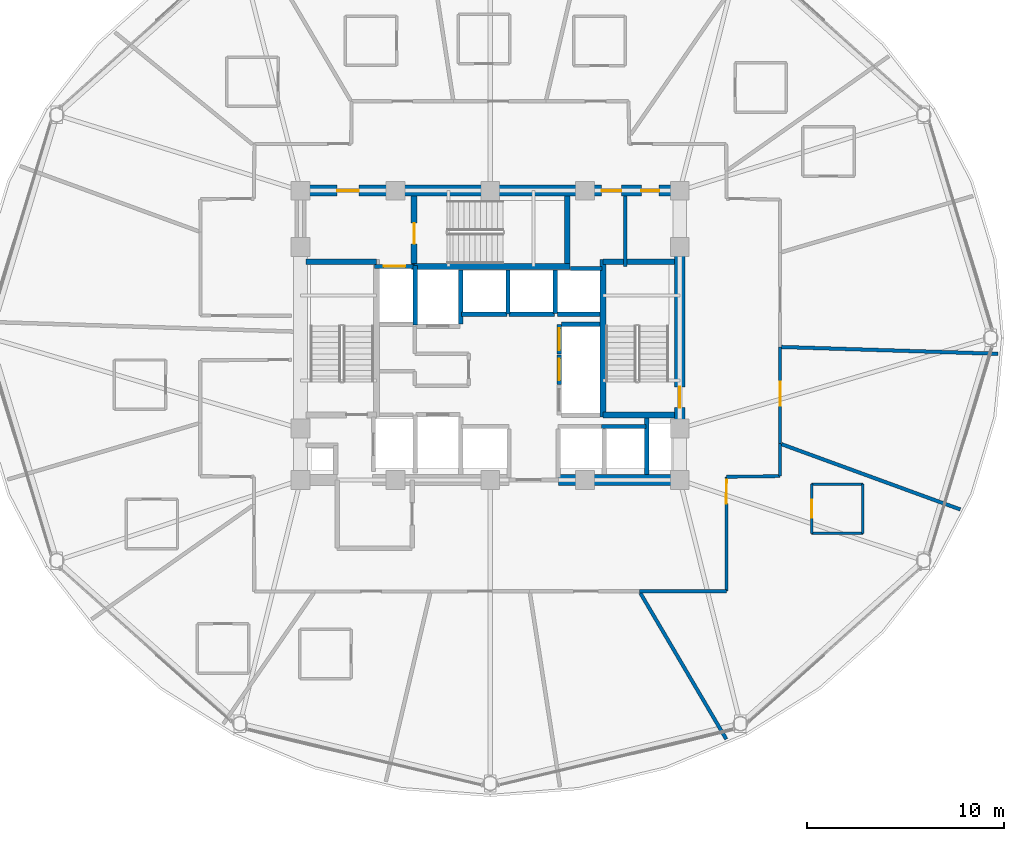
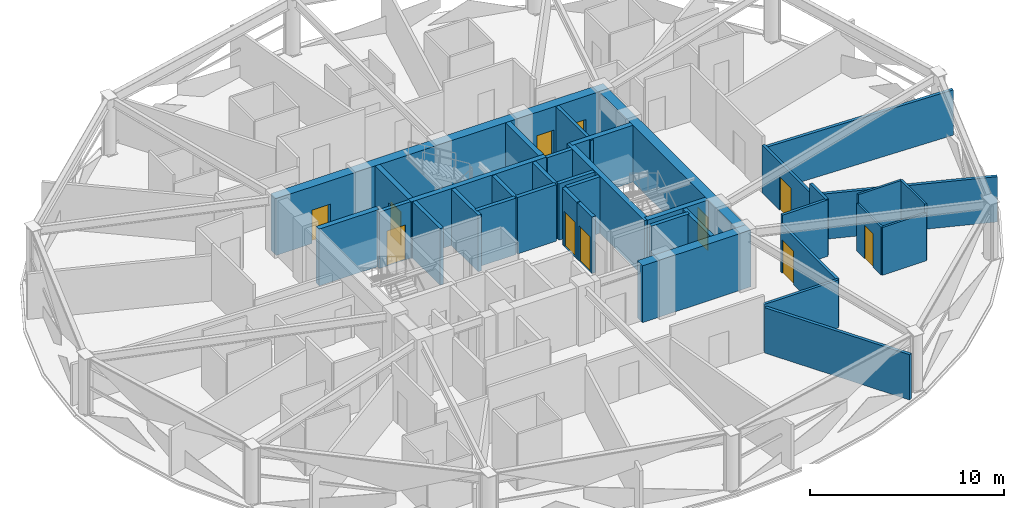
# One storey, part 25 of 31: 37 walls, 11 doors, 11 openings.
"""IFC4 building model written with IfcOpenShell, lengths in metres."""

from ifc_helpers import new_model, si_unit, direction, frame, frame_2d, origin, place, context, subcontext, project, spatial, rectangle, extrude, material, layer, layer_set, type_object, element, fill, save


model = new_model("IFC4")

# Units and contexts
model_context = context("Model", 3, precision=1e-05, world=origin(), true_north=direction((0.0, 1.0)))
body_context = subcontext(model_context, "Body", "Model", "MODEL_VIEW")
ifc_project = project(units=[si_unit("LENGTHUNIT", "METRE"), si_unit("AREAUNIT", "SQUARE_METRE"), si_unit("VOLUMEUNIT", "CUBIC_METRE"), si_unit("PLANEANGLEUNIT", "RADIAN"), si_unit("MASSUNIT", "GRAM", prefix="KILO")], contexts=[model_context])

# Site, building, storey
site_placement = place(None, origin())
site = spatial("IfcSite", under=ifc_project, at=site_placement, CompositionType="ELEMENT")
building_placement = place(site_placement, origin())
building = spatial("IfcBuilding", under=site, at=building_placement, Name="Vantalir Tower", CompositionType="ELEMENT")
storey_placement = place(building_placement, frame((0.0, 0.0, 115.949951171875)))
storey = spatial("IfcBuildingStorey", under=building, at=storey_placement, Name="L28", CompositionType="ELEMENT", Elevation=115.949951171875)

# Walls
ifc_material_1 = material(Name="Moisture-resistant en-suite partition", Category="gypsum")
ifc_layer_1 = layer(ifc_material_1, 0.125)
ifc_layer_set_1 = layer_set([ifc_layer_1], Name="Moisture-resistant en-suite partition")
wall_type_1 = type_object("IfcWallType", Name="WL-BATH-125", PredefinedType="PARTITIONING", material=ifc_layer_set_1)
wall_1_placement = place(storey_placement, frame((47.76904296875, 15.091064453125, 0.0), z_axis=(0.0, 0.0, 1.0), x_axis=(1.0, 0.0, 0.0)))
element("IfcWall", 1, at=wall_1_placement, inside=storey, type_object=wall_type_1, Name="L28 En-suite 15 South Wall", PredefinedType="PARTITIONING", context=body_context, shape_type="SweptSolid", body=[
    extrude(rectangle(XDim=2.599853515625, YDim=0.125, at=frame_2d((1.2998046875, 0.0))), origin(), (0.0, 0.0, 1.0), 3.006103515625),
])
wall_2_placement = place(storey_placement, frame((47.76904296875, 17.591064453125, 0.0), z_axis=(0.0, 0.0, 1.0), x_axis=(1.0, 0.0, 0.0)))
element("IfcWall", 2, at=wall_2_placement, inside=storey, type_object=wall_type_1, Name="L28 En-suite 15 North Wall", PredefinedType="PARTITIONING", context=body_context, shape_type="SweptSolid", body=[
    extrude(rectangle(XDim=2.599853515625, YDim=0.125, at=frame_2d((1.2998046875, 0.0))), origin(), (0.0, 0.0, 1.0), 3.550048828125),
])

# Wall, opening, door
wall_3_placement = place(storey_placement, frame((47.76904296875, 15.091064453125, 0.0), z_axis=(0.0, 0.0, 1.0), x_axis=(0.0, 1.0, 0.0)))
wall_3 = element("IfcWall", 3, at=wall_3_placement, inside=storey, type_object=wall_type_1, Name="L28 En-suite 15 West Wall", PredefinedType="PARTITIONING", context=body_context, shape_type="SweptSolid", body=[
    extrude(rectangle(XDim=2.5, YDim=0.125, at=frame_2d((1.25, 0.0))), origin(), (0.0, 0.0, 1.0), 3.006103515625),
])
opening_1_placement = place(wall_3_placement, frame((0.800048828125, 0.0, 0.0)))
opening_1 = element("IfcOpeningElement", 4, at=opening_1_placement, cuts=wall_3, Name="Opening D-WC", PredefinedType="OPENING", context=body_context, shape_type="SweptSolid", body=[
    extrude(rectangle(XDim=0.89990234375, YDim=2.10009765625, at=frame_2d((0.449951171875, 1.050048828125))), frame((0.0, 0.072509765625, 0.0), z_axis=(0.0, -1.0, 0.0), x_axis=(1.0, 0.0, 0.0)), (0.0, 0.0, 1.0), 0.14501953125),
])
ifc_material_2 = material(Name="Moisture-resistant hardwood door", Category="wood")
door_type_1 = type_object("IfcDoorType", Name="DR-ENSUITE-900", OperationType="NOTDEFINED", PredefinedType="DOOR", material=ifc_material_2)
door_1_placement = place(opening_1_placement, frame((0.89990234375, 0.0, 0.0), z_axis=(0.0, 0.0, 1.0), x_axis=(-1.0, 0.0, 0.0)))
door_1 = element("IfcDoor", 5, at=door_1_placement, inside=storey, type_object=door_type_1, Name="L28 En-suite 15 Door", OperationType="SINGLE_SWING_RIGHT", OverallHeight=2.10009765625, OverallWidth=0.89990234375, PredefinedType="DOOR", context=body_context, shape_type="SweptSolid", body=[
    extrude(rectangle(XDim=0.89990234375, YDim=2.10009765625, at=frame_2d((0.449951171875, 1.050048828125))), frame((0.0, 0.02490234375, 0.0), z_axis=(0.0, -1.0, 0.0), x_axis=(1.0, 0.0, 0.0)), (0.0, 0.0, 1.0), 0.050048828125),
])
fill(opening_1, door_1)

# Walls
wall_4_placement = place(storey_placement, frame((50.368896484375, 15.091064453125, 0.0), z_axis=(0.0, 0.0, 1.0), x_axis=(0.0, 1.0, 0.0)))
element("IfcWall", 6, at=wall_4_placement, inside=storey, type_object=wall_type_1, Name="L28 En-suite 15 East Wall", PredefinedType="PARTITIONING", context=body_context, shape_type="SweptSolid", body=[
    extrude(rectangle(XDim=2.5, YDim=0.125, at=frame_2d((1.25, 0.0))), origin(), (0.0, 0.0, 1.0), 3.550048828125),
])
ifc_material_3 = material(Name="Concrete C60/75", Category="concrete")
ifc_layer_2 = layer(ifc_material_3, 0.550048828125)
ifc_layer_set_2 = layer_set([ifc_layer_2], Name="Concrete C60/75")
wall_type_2 = type_object("IfcWallType", Name="WL-CORE-550", PredefinedType="SHEAR", material=ifc_layer_set_2)
wall_5_placement = place(storey_placement, frame((34.949951171875, 17.800048828125, 0.0), z_axis=(0.0, 0.0, 1.0), x_axis=(1.0, 0.0, 0.0)))
element("IfcWall", 7, at=wall_5_placement, inside=storey, type_object=wall_type_2, Name="L28 Core Shear Wall South-East", PredefinedType="SHEAR", context=body_context, shape_type="SweptSolid", body=[
    extrude(rectangle(XDim=6.425048828125, YDim=0.550048828125, at=frame_2d((3.21240234375, 0.0))), origin(), (0.0, 0.0, 1.0), 3.570068359375),
])

# Wall, openings, doors
wall_6_placement = place(storey_placement, frame((21.625, 32.449951171875, 0.0), z_axis=(0.0, 0.0, 1.0), x_axis=(1.0, 0.0, 0.0)))
wall_6 = element("IfcWall", 8, at=wall_6_placement, inside=storey, type_object=wall_type_2, Name="L28 Core Shear Wall North", PredefinedType="SHEAR", context=body_context, shape_type="SweptSolid", body=[
    extrude(rectangle(XDim=19.75, YDim=0.550048828125, at=frame_2d((9.875, 0.0))), origin(), (0.0, 0.0, 1.0), 3.570068359375),
])
opening_2_placement = place(wall_6_placement, frame((2.125, 0.0, 0.0)))
opening_2 = element("IfcOpeningElement", 9, at=opening_2_placement, cuts=wall_6, Name="Opening D-FFL", PredefinedType="OPENING", context=body_context, shape_type="SweptSolid", body=[
    extrude(rectangle(XDim=1.10009765625, YDim=2.10009765625, at=frame_2d((0.550048828125, 1.050048828125))), frame((0.0, 0.284912109375, 0.0), z_axis=(0.0, -1.0, 0.0), x_axis=(1.0, 0.0, 0.0)), (0.0, 0.0, 1.0), 0.570068359375),
])
opening_3_placement = place(wall_6_placement, frame((15.514892578125, 0.0, 0.0)))
opening_3 = element("IfcOpeningElement", 10, at=opening_3_placement, cuts=wall_6, Name="Opening D-GUEST", PredefinedType="OPENING", context=body_context, shape_type="SweptSolid", body=[
    extrude(rectangle(XDim=1.0, YDim=2.10009765625, at=frame_2d((0.5, 1.050048828125))), frame((0.0, 0.284912109375, 0.0), z_axis=(0.0, -1.0, 0.0), x_axis=(1.0, 0.0, 0.0)), (0.0, 0.0, 1.0), 0.570068359375),
])
opening_4_placement = place(wall_6_placement, frame((17.52490234375, 0.0, 0.0)))
opening_4 = element("IfcOpeningElement", 11, at=opening_4_placement, cuts=wall_6, Name="Opening D-CR", PredefinedType="OPENING", context=body_context, shape_type="SweptSolid", body=[
    extrude(rectangle(XDim=0.89990234375, YDim=2.10009765625, at=frame_2d((0.449951171875, 1.050048828125))), frame((0.0, 0.284912109375, 0.0), z_axis=(0.0, -1.0, 0.0), x_axis=(1.0, 0.0, 0.0)), (0.0, 0.0, 1.0), 0.570068359375),
])
ifc_material_4 = material(Name="Fire-rated steel core service door", Category="steel")
door_type_2 = type_object("IfcDoorType", Name="DR-CORE-SERV-900", OperationType="NOTDEFINED", PredefinedType="DOOR", material=ifc_material_4)
door_2_placement = place(opening_4_placement, frame((0.89990234375, 0.0, 0.0), z_axis=(0.0, 0.0, 1.0), x_axis=(-1.0, 0.0, 0.0)))
door_2 = element("IfcDoor", 12, at=door_2_placement, inside=storey, type_object=door_type_2, Name="L28 Housekeeping and Linen Room Door", OperationType="SINGLE_SWING_RIGHT", OverallHeight=2.10009765625, OverallWidth=0.89990234375, PredefinedType="DOOR", context=body_context, shape_type="SweptSolid", body=[
    extrude(rectangle(XDim=0.89990234375, YDim=2.10009765625, at=frame_2d((0.449951171875, 1.050048828125))), frame((0.0, 0.02490234375, 0.0), z_axis=(0.0, -1.0, 0.0), x_axis=(1.0, 0.0, 0.0)), (0.0, 0.0, 1.0), 0.050048828125),
])
fill(opening_4, door_2)
ifc_material_5 = material(Name="Fire-rated acoustic steel door", Category="steel")
door_type_3 = type_object("IfcDoorType", Name="DR-FIRE-LOBBY-1100", OperationType="NOTDEFINED", PredefinedType="DOOR", material=ifc_material_5)
door_3_placement = place(opening_2_placement, frame((1.10009765625, 0.0, 0.0), z_axis=(0.0, 0.0, 1.0), x_axis=(-1.0, 0.0, 0.0)))
door_3 = element("IfcDoor", 13, at=door_3_placement, inside=storey, type_object=door_type_3, Name="L28 Firefighting Lobby East Access Door", OperationType="SINGLE_SWING_RIGHT", OverallHeight=2.10009765625, OverallWidth=1.10009765625, PredefinedType="DOOR", context=body_context, shape_type="SweptSolid", body=[
    extrude(rectangle(XDim=1.10009765625, YDim=2.10009765625, at=frame_2d((0.550048828125, 1.050048828125))), frame((0.0, 0.02490234375, 0.0), z_axis=(0.0, -1.0, 0.0), x_axis=(1.0, 0.0, 0.0)), (0.0, 0.0, 1.0), 0.050048828125),
])
fill(opening_2, door_3)
ifc_material_6 = material(Name="Solid-core teak veneer acoustic fire door", Category="wood")
door_type_4 = type_object("IfcDoorType", Name="DR-GUEST-ENTRY-1000", OperationType="NOTDEFINED", PredefinedType="DOOR", material=ifc_material_6)
door_4_placement = place(opening_3_placement, frame((1.0, 0.0, 0.0), z_axis=(0.0, 0.0, 1.0), x_axis=(-1.0, 0.0, 0.0)))
door_4 = element("IfcDoor", 14, at=door_4_placement, inside=storey, type_object=door_type_4, Name="L28 High-Rise Lift Lobby Door", OperationType="SINGLE_SWING_LEFT", OverallHeight=2.10009765625, OverallWidth=1.0, PredefinedType="DOOR", context=body_context, shape_type="SweptSolid", body=[
    extrude(rectangle(XDim=1.0, YDim=2.10009765625, at=frame_2d((0.5, 1.050048828125))), frame((0.0, 0.02490234375, 0.0), z_axis=(0.0, -1.0, 0.0), x_axis=(1.0, 0.0, 0.0)), (0.0, 0.0, 1.0), 0.050048828125),
])
fill(opening_3, door_4)

# Wall, opening, door
wall_7_placement = place(storey_placement, frame((41.10009765625, 18.074951171875, 0.0), z_axis=(0.0, 0.0, 1.0), x_axis=(0.0, 1.0, 0.0)))
wall_7 = element("IfcWall", 15, at=wall_7_placement, inside=storey, type_object=wall_type_2, Name="L28 Core Shear Wall East", PredefinedType="SHEAR", context=body_context, shape_type="SweptSolid", body=[
    extrude(rectangle(XDim=14.10009765625, YDim=0.550048828125, at=frame_2d((7.050048828125, 0.0))), origin(), (0.0, 0.0, 1.0), 3.570068359375),
])
opening_5_placement = place(wall_7_placement, frame((3.385009765625, 0.0, 0.0)))
opening_5 = element("IfcOpeningElement", 16, at=opening_5_placement, cuts=wall_7, Name="Opening D-ST", PredefinedType="OPENING", context=body_context, shape_type="SweptSolid", body=[
    extrude(rectangle(XDim=1.050048828125, YDim=2.10009765625, at=frame_2d((0.52490234375, 1.050048828125))), frame((0.0, 0.284912109375, 0.0), z_axis=(0.0, -1.0, 0.0), x_axis=(1.0, 0.0, 0.0)), (0.0, 0.0, 1.0), 0.570068359375),
])
ifc_material_7 = material(Name="Fire-rated steel door leaf", Category="steel")
door_type_5 = type_object("IfcDoorType", Name="DR-FIRE-STAIR-1050", OperationType="NOTDEFINED", PredefinedType="DOOR", material=ifc_material_7)
door_5_placement = place(opening_5_placement, origin())
door_5 = element("IfcDoor", 17, at=door_5_placement, inside=storey, type_object=door_type_5, Name="L28 Exit Stair ST2 Fire Door", OperationType="SINGLE_SWING_LEFT", OverallHeight=2.10009765625, OverallWidth=1.050048828125, PredefinedType="DOOR", context=body_context, shape_type="SweptSolid", body=[
    extrude(rectangle(XDim=1.050048828125, YDim=2.10009765625, at=frame_2d((0.52490234375, 1.050048828125))), frame((0.0, 0.02490234375, 0.0), z_axis=(0.0, -1.0, 0.0), x_axis=(1.0, 0.0, 0.0)), (0.0, 0.0, 1.0), 0.050048828125),
])
fill(opening_5, door_5)

ifc_material_8 = material(Name="Fire-rated hotel corridor acoustic partition", Category="gypsum")
ifc_layer_3 = layer(ifc_material_8, 0.159912109375)
ifc_layer_set_3 = layer_set([ifc_layer_3], Name="Fire-rated hotel corridor acoustic partition")
wall_type_3 = type_object("IfcWallType", Name="WL-CORR-160", PredefinedType="PARTITIONING", material=ifc_layer_set_3)
wall_8_placement = place(storey_placement, frame((46.179931640625, 24.537109375, 0.0), z_axis=(0.0, 0.0, 1.0), x_axis=(0.0, -1.0, 0.0)))
wall_8 = element("IfcWall", 18, at=wall_8_placement, inside=storey, type_object=wall_type_3, Name="L28 Corridor Partition 19", PredefinedType="PARTITIONING", context=body_context, shape_type="SweptSolid", body=[
    extrude(rectangle(XDim=4.898193359375, YDim=0.159912109375, at=frame_2d((2.44921875, 0.0))), origin(), (0.0, 0.0, 1.0), 3.006103515625),
])
opening_6_placement = place(wall_8_placement, frame((1.77587890625, 0.0, 0.0)))
opening_6 = element("IfcOpeningElement", 19, at=opening_6_placement, cuts=wall_8, Name="Opening D-STE", PredefinedType="OPENING", context=body_context, shape_type="SweptSolid", body=[
    extrude(rectangle(XDim=1.199951171875, YDim=2.10009765625, at=frame_2d((0.60009765625, 1.050048828125))), frame((0.0, 0.08984375, 0.0), z_axis=(0.0, -1.0, 0.0), x_axis=(1.0, 0.0, 0.0)), (0.0, 0.0, 1.0), 0.179931640625),
])
ifc_material_9 = material(Name="Solid-core teak veneer suite entrance door", Category="wood")
door_type_6 = type_object("IfcDoorType", Name="DR-SUITE-ENTRY-1200", OperationType="NOTDEFINED", PredefinedType="DOOR", material=ifc_material_9)
door_6_placement = place(opening_6_placement, origin())
door_6 = element("IfcDoor", 20, at=door_6_placement, inside=storey, type_object=door_type_6, Name="L28 Club Reading Lounge 16 Door", OperationType="SINGLE_SWING_LEFT", OverallHeight=2.10009765625, OverallWidth=1.199951171875, PredefinedType="DOOR", context=body_context, shape_type="SweptSolid", body=[
    extrude(rectangle(XDim=1.199951171875, YDim=2.10009765625, at=frame_2d((0.60009765625, 1.050048828125))), frame((0.0, 0.02490234375, 0.0), z_axis=(0.0, -1.0, 0.0), x_axis=(1.0, 0.0, 0.0)), (0.0, 0.0, 1.0), 0.050048828125),
])
fill(opening_6, door_6)

# Walls
wall_9_placement = place(storey_placement, frame((46.179931640625, 19.638916015625, 0.0), z_axis=(0.0, 0.0, 1.0), x_axis=(0.0, -1.0, 0.0)))
element("IfcWall", 21, at=wall_9_placement, inside=storey, type_object=wall_type_3, Name="L28 Corridor Partition 20", PredefinedType="PARTITIONING", context=body_context, shape_type="SweptSolid", body=[
    extrude(rectangle(XDim=1.642822265625, YDim=0.159912109375, at=frame_2d((0.8212890625, 0.0))), origin(), (0.0, 0.0, 1.0), 3.550048828125),
])
wall_10_placement = place(storey_placement, frame((46.179931640625, 17.99609375, 0.0), z_axis=(0.0, 0.0, 1.0), x_axis=(-0.999911442333, -0.013308173873, 0.0)))
element("IfcWall", 22, at=wall_10_placement, inside=storey, type_object=wall_type_3, Name="L28 Corridor Partition 21", PredefinedType="PARTITIONING", context=body_context, shape_type="SweptSolid", body=[
    extrude(rectangle(XDim=2.715087890625, YDim=0.159912109375, at=frame_2d((1.357421875, 0.0))), origin(), (0.0, 0.0, 1.0), 3.550048828125),
])

# Wall, opening, door
wall_11_placement = place(storey_placement, frame((43.465087890625, 17.9599609375, 0.0), z_axis=(0.0, 0.0, 1.0), x_axis=(-0.001222389915, -0.999999252881, 0.0)))
wall_11 = element("IfcWall", 23, at=wall_11_placement, inside=storey, type_object=wall_type_3, Name="L28 Corridor Partition 22", PredefinedType="PARTITIONING", context=body_context, shape_type="SweptSolid", body=[
    extrude(rectangle(XDim=5.7919921875, YDim=0.159912109375, at=frame_2d((2.89599609375, 0.0))), origin(), (0.0, 0.0, 1.0), 3.006103515625),
])
opening_7_placement = place(wall_11_placement, frame((0.159912109375, 0.0, 0.0)))
opening_7 = element("IfcOpeningElement", 24, at=opening_7_placement, cuts=wall_11, Name="Opening D-STE", PredefinedType="OPENING", context=body_context, shape_type="SweptSolid", body=[
    extrude(rectangle(XDim=1.199951171875, YDim=2.10009765625, at=frame_2d((0.60009765625, 1.050048828125))), frame((0.0, 0.08984375, 0.0), z_axis=(0.0, -1.0, 0.0), x_axis=(1.0, 0.0, 0.0)), (0.0, 0.0, 1.0), 0.179931640625),
])
door_7_placement = place(opening_7_placement, origin())
door_7 = element("IfcDoor", 25, at=door_7_placement, inside=storey, type_object=door_type_6, Name="L28 Executive Club Hotel Suite 15 Door", OperationType="SINGLE_SWING_RIGHT", OverallHeight=2.10009765625, OverallWidth=1.199951171875, PredefinedType="DOOR", context=body_context, shape_type="SweptSolid", body=[
    extrude(rectangle(XDim=1.199951171875, YDim=2.10009765625, at=frame_2d((0.60009765625, 1.050048828125))), frame((0.0, 0.02490234375, 0.0), z_axis=(0.0, -1.0, 0.0), x_axis=(1.0, 0.0, 0.0)), (0.0, 0.0, 1.0), 0.050048828125),
])
fill(opening_7, door_7)

# Walls
wall_12_placement = place(storey_placement, frame((43.4580078125, 12.16796875, 0.0), z_axis=(0.0, 0.0, 1.0), x_axis=(-0.999999901879, -0.00044299237, 0.0)))
element("IfcWall", 26, at=wall_12_placement, inside=storey, type_object=wall_type_3, Name="L28 Corridor Partition 23", PredefinedType="PARTITIONING", context=body_context, shape_type="SweptSolid", body=[
    extrude(rectangle(XDim=4.408935546875, YDim=0.159912109375, at=frame_2d((2.20458984375, 0.0))), origin(), (0.0, 0.0, 1.0), 3.006103515625),
])
ifc_material_10 = material(Name="Concrete blockwork with fireboard lining", Category="masonry")
ifc_layer_4 = layer(ifc_material_10, 0.219970703125)
ifc_layer_set_4 = layer_set([ifc_layer_4], Name="Concrete blockwork with fireboard lining")
wall_type_4 = type_object("IfcWallType", Name="WL-FFL-220", PredefinedType="PARTITIONING", material=ifc_layer_set_4)
wall_13_placement = place(storey_placement, frame((30.0, 25.7099609375, 0.0), z_axis=(0.0, 0.0, 1.0), x_axis=(0.0, 1.0, 0.0)))
element("IfcWall", 27, at=wall_13_placement, inside=storey, type_object=wall_type_4, Name="L28 Service Lift SV2 East Shaft Wall", PredefinedType="PARTITIONING", context=body_context, shape_type="SweptSolid", body=[
    extrude(rectangle(XDim=2.72998046875, YDim=0.219970703125, at=frame_2d((1.364990234375, 0.0))), origin(), (0.0, 0.0, 1.0), 3.545166015625),
])
wall_14_placement = place(storey_placement, frame((32.39990234375, 26.199951171875, 0.0), z_axis=(0.0, 0.0, 1.0), x_axis=(0.0, 1.0, 0.0)))
element("IfcWall", 28, at=wall_14_placement, inside=storey, type_object=wall_type_4, Name="L28 High-Rise Lift PL-H1/H2 Shaft Divider", PredefinedType="PARTITIONING", context=body_context, shape_type="SweptSolid", body=[
    extrude(rectangle(XDim=2.239990234375, YDim=0.219970703125, at=frame_2d((1.1201171875, 0.0))), origin(), (0.0, 0.0, 1.0), 3.545166015625),
])
wall_15_placement = place(storey_placement, frame((34.800048828125, 26.22998046875, 0.0), z_axis=(0.0, 0.0, 1.0), x_axis=(0.0, 1.0, 0.0)))
element("IfcWall", 29, at=wall_15_placement, inside=storey, type_object=wall_type_4, Name="L28 High-Rise Lift PL-H2/H3 Shaft Divider", PredefinedType="PARTITIONING", context=body_context, shape_type="SweptSolid", body=[
    extrude(rectangle(XDim=2.2099609375, YDim=0.219970703125, at=frame_2d((1.10498046875, 0.0))), origin(), (0.0, 0.0, 1.0), 3.545166015625),
])
wall_16_placement = place(storey_placement, frame((34.909912109375, 26.18994140625, 0.0), z_axis=(0.0, 0.0, 1.0), x_axis=(1.0, 0.0, 0.0)))
element("IfcWall", 30, at=wall_16_placement, inside=storey, type_object=wall_type_4, Name="L28 High-Rise Lift PL-H3 Rear Shaft Wall", PredefinedType="PARTITIONING", context=body_context, shape_type="SweptSolid", body=[
    extrude(rectangle(XDim=2.14013671875, YDim=0.219970703125, at=frame_2d((1.070068359375, 0.0))), origin(), (0.0, 0.0, 1.0), 3.545166015625),
])
wall_17_placement = place(storey_placement, frame((39.419921875, 18.074951171875, 0.0), z_axis=(0.0, 0.0, 1.0), x_axis=(0.0, 1.0, 0.0)))
element("IfcWall", 31, at=wall_17_placement, inside=storey, type_object=wall_type_4, Name="L28 East MEP Riser Wall W", PredefinedType="PARTITIONING", context=body_context, shape_type="SweptSolid", body=[
    extrude(rectangle(XDim=2.875, YDim=0.219970703125, at=frame_2d((1.4375, 0.0))), origin(), (0.0, 0.0, 1.0), 3.550048828125),
])

# Wall, opening, door
wall_18_placement = place(storey_placement, frame((25.639892578125, 28.610107421875, 0.0), z_axis=(0.0, 0.0, 1.0), x_axis=(1.0, 0.0, 0.0)))
wall_18 = element("IfcWall", 32, at=wall_18_placement, inside=storey, type_object=wall_type_4, Name="L28 Lift FL2 Shaft Front Wall", PredefinedType="PARTITIONING", context=body_context, shape_type="SweptSolid", body=[
    extrude(rectangle(XDim=2.02001953125, YDim=0.219970703125, at=frame_2d((1.010009765625, 0.0))), origin(), (0.0, 0.0, 1.0), 3.550048828125),
])
opening_8_placement = place(wall_18_placement, frame((0.4599609375, 0.0, 0.0)))
opening_8 = element("IfcOpeningElement", 33, at=opening_8_placement, cuts=wall_18, Name="Opening LD-FL2", PredefinedType="OPENING", context=body_context, shape_type="SweptSolid", body=[
    extrude(rectangle(XDim=1.10009765625, YDim=2.199951171875, at=frame_2d((0.550048828125, 1.10009765625))), frame((0.0, 0.119873046875, 0.0), z_axis=(0.0, -1.0, 0.0), x_axis=(1.0, 0.0, 0.0)), (0.0, 0.0, 1.0), 0.239990234375),
])
ifc_material_11 = material(Name="Brushed stainless-steel sliding lift landing door", Category="steel")
door_type_7 = type_object("IfcDoorType", Name="DR-LIFT-LANDING-1100", OperationType="DOUBLE_DOOR_SLIDING", PredefinedType="DOOR", material=ifc_material_11)
door_8_placement = place(opening_8_placement, origin())
door_8 = element("IfcDoor", 34, at=door_8_placement, inside=storey, type_object=door_type_7, Name="L28 Lift Landing Door FL2", OperationType="DOUBLE_DOOR_SLIDING", OverallHeight=2.199951171875, OverallWidth=1.10009765625, PredefinedType="DOOR", context=body_context, shape_type="SweptSolid", body=[
    extrude(rectangle(XDim=1.10009765625, YDim=2.199951171875, at=frame_2d((0.550048828125, 1.10009765625))), frame((0.0, 0.02490234375, 0.0), z_axis=(0.0, -1.0, 0.0), x_axis=(1.0, 0.0, 0.0)), (0.0, 0.0, 1.0), 0.050048828125),
])
fill(opening_8, door_8)

# Walls
wall_19_placement = place(storey_placement, frame((37.139892578125, 20.510009765625, 0.0), z_axis=(0.0, 0.0, 1.0), x_axis=(1.0, 0.0, 0.0)))
element("IfcWall", 35, at=wall_19_placement, inside=storey, type_object=wall_type_4, Name="L28 Lift PL-X2 Shaft Rear Wall", PredefinedType="PARTITIONING", context=body_context, shape_type="SweptSolid", body=[
    extrude(rectangle(XDim=2.239990234375, YDim=0.219970703125, at=frame_2d((1.1201171875, 0.0))), origin(), (0.0, 0.0, 1.0), 3.550048828125),
])
for number, where, z_axis, x_axis, name in (
    (36, (30.0400390625, 26.18994140625, 0.0), (0.0, 0.0, 1.0), (1.0, 0.0, 0.0), "L28 Lift PL-H1 Shaft Front Wall"),
    (37, (32.43994140625, 26.18994140625, 0.0), (0.0, 0.0, 1.0), (1.0, 0.0, 0.0), "L28 Lift PL-H2 Shaft Front Wall"),
):
    element("IfcWall", number, at=place(storey_placement, frame(where, z_axis=z_axis, x_axis=x_axis)), inside=storey, type_object=wall_type_4, Name=name, PredefinedType="PARTITIONING", context=body_context, shape_type="SweptSolid", body=[
        extrude(rectangle(XDim=2.320068359375, YDim=0.219970703125, at=frame_2d((1.16015625, 0.0))), origin(), (0.0, 0.0, 1.0), 3.550048828125),
    ])
wall_20_placement = place(storey_placement, frame((35.56005859375, 28.510009765625, 0.0), z_axis=(0.0, 0.0, 1.0), x_axis=(1.0, 0.0, 0.0)))
element("IfcWall", 38, at=wall_20_placement, inside=storey, type_object=wall_type_4, Name="L28 Lift PL-H3 Shaft Front Wall", PredefinedType="PARTITIONING", context=body_context, shape_type="SweptSolid", body=[
    extrude(rectangle(XDim=1.599853515625, YDim=0.219970703125, at=frame_2d((0.7998046875, 0.0))), origin(), (0.0, 0.0, 1.0), 3.550048828125),
])

# Wall, opening, door
wall_21_placement = place(storey_placement, frame((34.989990234375, 22.639892578125, 0.0), z_axis=(0.0, 0.0, 1.0), x_axis=(0.0, 1.0, 0.0)))
wall_21 = element("IfcWall", 39, at=wall_21_placement, inside=storey, type_object=wall_type_4, Name="L28 Lift PL-M2 Shaft Front Wall", PredefinedType="PARTITIONING", context=body_context, shape_type="SweptSolid", body=[
    extrude(rectangle(XDim=1.5, YDim=0.219970703125, at=frame_2d((0.75, 0.0))), origin(), (0.0, 0.0, 1.0), 3.550048828125),
])
opening_9_placement = place(wall_21_placement, frame((0.199951171875, 0.0, 0.0)))
opening_9 = element("IfcOpeningElement", 40, at=opening_9_placement, cuts=wall_21, Name="Opening LD-PL-M2", PredefinedType="OPENING", context=body_context, shape_type="SweptSolid", body=[
    extrude(rectangle(XDim=1.10009765625, YDim=2.199951171875, at=frame_2d((0.550048828125, 1.10009765625))), frame((0.0, 0.119873046875, 0.0), z_axis=(0.0, -1.0, 0.0), x_axis=(1.0, 0.0, 0.0)), (0.0, 0.0, 1.0), 0.239990234375),
])
door_9_placement = place(opening_9_placement, origin())
door_9 = element("IfcDoor", 41, at=door_9_placement, inside=storey, type_object=door_type_7, Name="L28 Lift Landing Door PL-M2", OperationType="DOUBLE_DOOR_SLIDING", OverallHeight=2.199951171875, OverallWidth=1.10009765625, PredefinedType="DOOR", context=body_context, shape_type="SweptSolid", body=[
    extrude(rectangle(XDim=1.10009765625, YDim=2.199951171875, at=frame_2d((0.550048828125, 1.10009765625))), frame((0.0, 0.02490234375, 0.0), z_axis=(0.0, -1.0, 0.0), x_axis=(1.0, 0.0, 0.0)), (0.0, 0.0, 1.0), 0.050048828125),
])
fill(opening_9, door_9)

wall_22_placement = place(storey_placement, frame((34.989990234375, 24.179931640625, 0.0), z_axis=(0.0, 0.0, 1.0), x_axis=(0.0, 1.0, 0.0)))
wall_22 = element("IfcWall", 42, at=wall_22_placement, inside=storey, type_object=wall_type_4, Name="L28 Lift PL-M3 Shaft Front Wall", PredefinedType="PARTITIONING", context=body_context, shape_type="SweptSolid", body=[
    extrude(rectangle(XDim=1.5, YDim=0.219970703125, at=frame_2d((0.75, 0.0))), origin(), (0.0, 0.0, 1.0), 3.550048828125),
])
opening_10_placement = place(wall_22_placement, frame((0.199951171875, 0.0, 0.0)))
opening_10 = element("IfcOpeningElement", 43, at=opening_10_placement, cuts=wall_22, Name="Opening LD-PL-M3", PredefinedType="OPENING", context=body_context, shape_type="SweptSolid", body=[
    extrude(rectangle(XDim=1.10009765625, YDim=2.199951171875, at=frame_2d((0.550048828125, 1.10009765625))), frame((0.0, 0.119873046875, 0.0), z_axis=(0.0, -1.0, 0.0), x_axis=(1.0, 0.0, 0.0)), (0.0, 0.0, 1.0), 0.239990234375),
])
door_10_placement = place(opening_10_placement, origin())
door_10 = element("IfcDoor", 44, at=door_10_placement, inside=storey, type_object=door_type_7, Name="L28 Lift Landing Door PL-M3", OperationType="DOUBLE_DOOR_SLIDING", OverallHeight=2.199951171875, OverallWidth=1.10009765625, PredefinedType="DOOR", context=body_context, shape_type="SweptSolid", body=[
    extrude(rectangle(XDim=1.10009765625, YDim=2.199951171875, at=frame_2d((0.550048828125, 1.10009765625))), frame((0.0, 0.02490234375, 0.0), z_axis=(0.0, -1.0, 0.0), x_axis=(1.0, 0.0, 0.0)), (0.0, 0.0, 1.0), 0.050048828125),
])
fill(opening_10, door_10)

# Walls
wall_23_placement = place(storey_placement, frame((27.699951171875, 25.64990234375, 0.0), z_axis=(0.0, 0.0, 1.0), x_axis=(0.0, 1.0, 0.0)))
element("IfcWall", 45, at=wall_23_placement, inside=storey, type_object=wall_type_4, Name="L28 Fire Lift FL2 Dividing Wall", PredefinedType="PARTITIONING", context=body_context, shape_type="SweptSolid", body=[
    extrude(rectangle(XDim=3.0, YDim=0.219970703125, at=frame_2d((1.5, 0.0))), origin(), (0.0, 0.0, 1.0), 3.550048828125),
])
wall_24_placement = place(storey_placement, frame((35.1201171875, 25.679931640625, 0.0), z_axis=(0.0, 0.0, 1.0), x_axis=(1.0, 0.0, 0.0)))
element("IfcWall", 46, at=wall_24_placement, inside=storey, type_object=wall_type_4, Name="L28 Mid-Rise Bank North Wall", PredefinedType="PARTITIONING", context=body_context, shape_type="SweptSolid", body=[
    extrude(rectangle(XDim=1.93994140625, YDim=0.219970703125, at=frame_2d((0.969970703125, 0.0))), origin(), (0.0, 0.0, 1.0), 3.550048828125),
])
ifc_material_12 = material(Name="Twin-stud acoustic fire-rated gypsum partition", Category="gypsum")
ifc_layer_5 = layer(ifc_material_12, 0.179931640625)
ifc_layer_set_5 = layer_set([ifc_layer_5], Name="Twin-stud acoustic fire-rated gypsum partition")
wall_type_5 = type_object("IfcWallType", Name="WL-GUEST-180", PredefinedType="PARTITIONING", material=ifc_layer_set_5)
wall_25_placement = place(storey_placement, frame((38.340087890625, 28.6201171875, 0.0), z_axis=(0.0, 0.0, 1.0), x_axis=(0.0, 1.0, 0.0)))
element("IfcWall", 47, at=wall_25_placement, inside=storey, type_object=wall_type_5, Name="L28 High-Rise Lift Lobby East Wall", PredefinedType="PARTITIONING", context=body_context, shape_type="SweptSolid", body=[
    extrude(rectangle(XDim=3.554931640625, YDim=0.179931640625, at=frame_2d((1.77734375, 0.0))), origin(), (0.0, 0.0, 1.0), 3.550048828125),
])
wall_26_placement = place(storey_placement, frame((39.10205078125, 12.074951171875, 0.0), z_axis=(0.0, 0.0, 1.0), x_axis=(0.507047473751, -0.861918127993, 0.0)))
element("IfcWall", 48, at=wall_26_placement, inside=storey, type_object=wall_type_5, Name="L28 Radial Suite Partition 15", PredefinedType="PARTITIONING", context=body_context, shape_type="SweptSolid", body=[
    extrude(rectangle(XDim=8.5830078125, YDim=0.179931640625, at=frame_2d((4.29150390625, 0.0))), origin(), (0.0, 0.0, 1.0), 2.85107421875),
])
wall_27_placement = place(storey_placement, frame((46.2548828125, 19.611083984375, 0.0), z_axis=(0.0, 0.0, 1.0), x_axis=(0.939305605138, -0.34308159402, 0.0)))
element("IfcWall", 49, at=wall_27_placement, inside=storey, type_object=wall_type_5, Name="L28 Radial Suite Partition 16", PredefinedType="PARTITIONING", context=body_context, shape_type="SweptSolid", body=[
    extrude(rectangle(XDim=9.6337890625, YDim=0.179931640625, at=frame_2d((4.81689453125, 0.0))), origin(), (0.0, 0.0, 1.0), 2.85107421875),
])
wall_28_placement = place(storey_placement, frame((46.2548828125, 24.533935546875, 0.0), z_axis=(0.0, 0.0, 1.0), x_axis=(0.999504571897, -0.031473969515, 0.0)))
element("IfcWall", 50, at=wall_28_placement, inside=storey, type_object=wall_type_5, Name="L28 Radial Suite Partition 17", PredefinedType="PARTITIONING", context=body_context, shape_type="SweptSolid", body=[
    extrude(rectangle(XDim=10.96044921875, YDim=0.179931640625, at=frame_2d((5.480224609375, 0.0))), origin(), (0.0, 0.0, 1.0), 2.85107421875),
])
ifc_material_13 = material(Name="Concrete C50/60", Category="concrete")
ifc_layer_6 = layer(ifc_material_13, 0.300048828125)
ifc_layer_set_6 = layer_set([ifc_layer_6], Name="Concrete C50/60")
wall_type_6 = type_object("IfcWallType", Name="WL-STAIR-300", PredefinedType="SHEAR", material=ifc_layer_set_6)
wall_29_placement = place(storey_placement, frame((22.175048828125, 28.85009765625, 0.0), z_axis=(0.0, 0.0, 1.0), x_axis=(1.0, 0.0, 0.0)))
element("IfcWall", 51, at=wall_29_placement, inside=storey, type_object=wall_type_6, Name="L28 Stair ST1 North Wall", PredefinedType="SHEAR", context=body_context, shape_type="SweptSolid", body=[
    extrude(rectangle(XDim=3.56494140625, YDim=0.300048828125, at=frame_2d((1.782470703125, 0.0))), origin(), (0.0, 0.0, 1.0), 3.570068359375),
])
for number, where, z_axis, x_axis, name in (
    (52, (37.2099609375, 21.10009765625, 0.0), (0.0, 0.0, 1.0), (1.0, 0.0, 0.0), "L28 Stair ST2 South Wall"),
    (53, (37.2099609375, 28.85009765625, 0.0), (0.0, 0.0, 1.0), (1.0, 0.0, 0.0), "L28 Stair ST2 North Wall"),
):
    element("IfcWall", number, at=place(storey_placement, frame(where, z_axis=z_axis, x_axis=x_axis)), inside=storey, type_object=wall_type_6, Name=name, PredefinedType="SHEAR", context=body_context, shape_type="SweptSolid", body=[
        extrude(rectangle(XDim=3.614990234375, YDim=0.300048828125, at=frame_2d((1.8076171875, 0.0))), origin(), (0.0, 0.0, 1.0), 3.570068359375),
    ])
wall_30_placement = place(storey_placement, frame((37.2099609375, 20.97998046875, 0.0), z_axis=(0.0, 0.0, 1.0), x_axis=(0.0, 1.0, 0.0)))
element("IfcWall", 54, at=wall_30_placement, inside=storey, type_object=wall_type_6, Name="L28 Stair ST2 West Wall", PredefinedType="SHEAR", context=body_context, shape_type="SweptSolid", body=[
    extrude(rectangle(XDim=7.989990234375, YDim=0.300048828125, at=frame_2d((3.9951171875, 0.0))), origin(), (0.0, 0.0, 1.0), 3.570068359375),
])
wall_31_placement = place(storey_placement, frame((27.510009765625, 28.60009765625, 0.0), z_axis=(0.0, 0.0, 1.0), x_axis=(1.0, 0.0, 0.0)))
element("IfcWall", 55, at=wall_31_placement, inside=storey, type_object=wall_type_6, Name="L28 Stair ST3 South Wall", PredefinedType="SHEAR", context=body_context, shape_type="SweptSolid", body=[
    extrude(rectangle(XDim=8.030029296875, YDim=0.300048828125, at=frame_2d((4.01513671875, 0.0))), origin(), (0.0, 0.0, 1.0), 3.570068359375),
])

# Wall, opening, door
wall_32_placement = place(storey_placement, frame((27.64990234375, 28.75, 0.0), z_axis=(0.0, 0.0, 1.0), x_axis=(0.0, 1.0, 0.0)))
wall_32 = element("IfcWall", 56, at=wall_32_placement, inside=storey, type_object=wall_type_6, Name="L28 Stair ST3 West Wall", PredefinedType="SHEAR", context=body_context, shape_type="SweptSolid", body=[
    extrude(rectangle(XDim=3.425048828125, YDim=0.300048828125, at=frame_2d((1.71240234375, 0.0))), origin(), (0.0, 0.0, 1.0), 3.570068359375),
])
opening_11_placement = place(wall_32_placement, frame((1.0, 0.0, 0.0)))
opening_11 = element("IfcOpeningElement", 57, at=opening_11_placement, cuts=wall_32, Name="Opening D-ST", PredefinedType="OPENING", context=body_context, shape_type="SweptSolid", body=[
    extrude(rectangle(XDim=1.050048828125, YDim=2.10009765625, at=frame_2d((0.52490234375, 1.050048828125))), frame((0.0, 0.159912109375, 0.0), z_axis=(0.0, -1.0, 0.0), x_axis=(1.0, 0.0, 0.0)), (0.0, 0.0, 1.0), 0.320068359375),
])
door_11_placement = place(opening_11_placement, frame((1.050048828125, 0.0, 0.0), z_axis=(0.0, 0.0, 1.0), x_axis=(-1.0, 0.0, 0.0)))
door_11 = element("IfcDoor", 58, at=door_11_placement, inside=storey, type_object=door_type_5, Name="L28 Exit Stair ST3 Fire Door", OperationType="SINGLE_SWING_LEFT", OverallHeight=2.10009765625, OverallWidth=1.050048828125, PredefinedType="DOOR", context=body_context, shape_type="SweptSolid", body=[
    extrude(rectangle(XDim=1.050048828125, YDim=2.10009765625, at=frame_2d((0.52490234375, 1.050048828125))), frame((0.0, 0.02490234375, 0.0), z_axis=(0.0, -1.0, 0.0), x_axis=(1.0, 0.0, 0.0)), (0.0, 0.0, 1.0), 0.050048828125),
])
fill(opening_11, door_11)

# Wall
wall_33_placement = place(storey_placement, frame((35.39990234375, 28.75, 0.0), z_axis=(0.0, 0.0, 1.0), x_axis=(0.0, 1.0, 0.0)))
element("IfcWall", 59, at=wall_33_placement, inside=storey, type_object=wall_type_6, Name="L28 Stair ST3 East Wall", PredefinedType="SHEAR", context=body_context, shape_type="SweptSolid", body=[
    extrude(rectangle(XDim=3.425048828125, YDim=0.300048828125, at=frame_2d((1.71240234375, 0.0))), origin(), (0.0, 0.0, 1.0), 3.570068359375),
])

save(model, "model.ifc")
